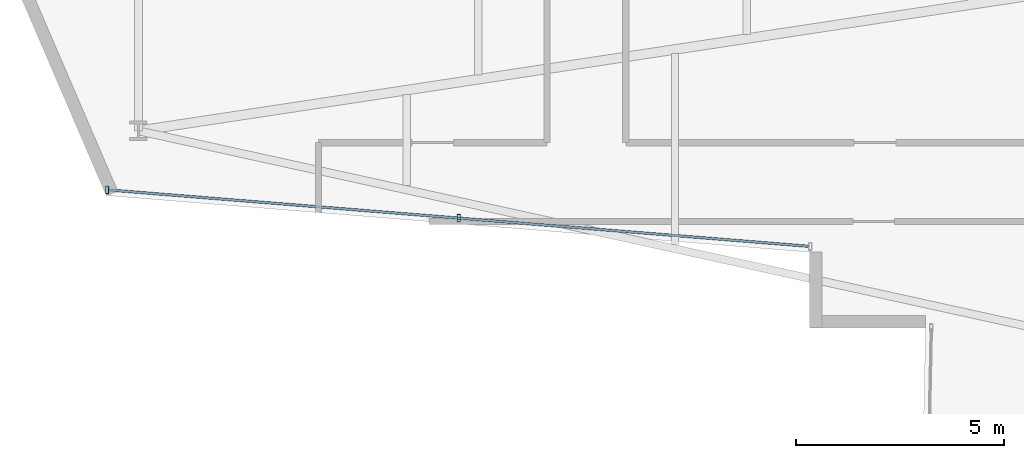
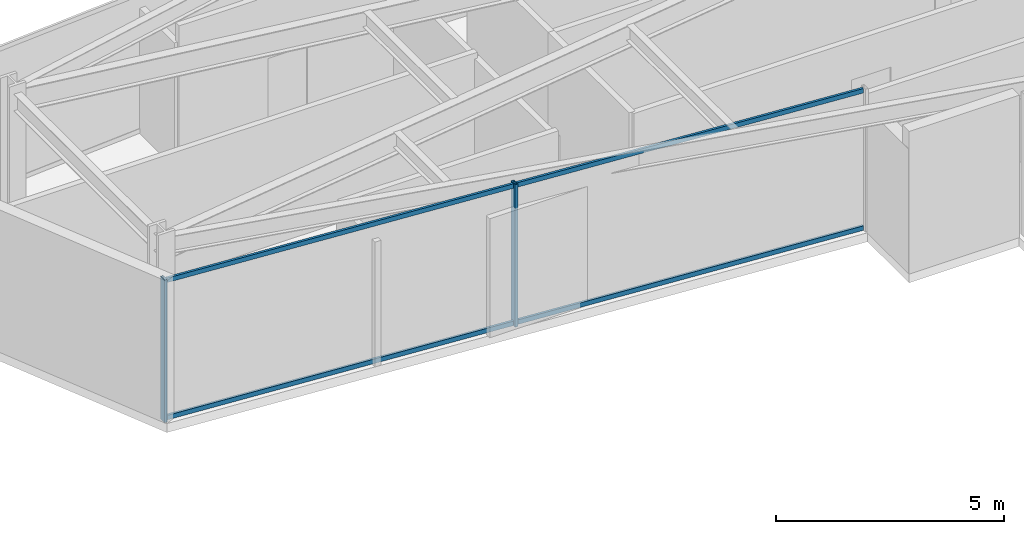
# One storey, part 2 of 23: 4 members, 1 element without a shape of its own.
"""IFC4 building model written with IfcOpenShell, lengths in metres."""

from ifc_helpers import new_model, si_unit, direction, frame, origin, origin_2d, place, context, subcontext, project, spatial, hollow_rectangle, extrude, material, layer, layer_set, material_profile, profile_set, type_object, element, aggregate, save


model = new_model("IFC4")

# Units and contexts
model_context = context("Model", 3, precision=1e-05, world=origin(), true_north=direction((0.0, 1.0)))
body_context = subcontext(model_context, "Body", "Model", "MODEL_VIEW")
ifc_project = project(units=[si_unit("LENGTHUNIT", "METRE"), si_unit("AREAUNIT", "SQUARE_METRE"), si_unit("VOLUMEUNIT", "CUBIC_METRE"), si_unit("PLANEANGLEUNIT", "RADIAN"), si_unit("MASSUNIT", "GRAM", prefix="KILO")], contexts=[model_context])

# Site, building, storey
site_placement = place(None, origin())
site = spatial("IfcSite", under=ifc_project, at=site_placement, CompositionType="ELEMENT")
building_placement = place(site_placement, origin())
building = spatial("IfcBuilding", under=site, at=building_placement, Name="Veymaron Broadcast Tower", CompositionType="ELEMENT")
storey_placement = place(building_placement, frame((0.0, 0.0, 94.5)))
storey = spatial("IfcBuildingStorey", under=building, at=storey_placement, Name="L21", CompositionType="ELEMENT", Elevation=94.5)

# Curtain wall, members
ifc_material_1 = material(Name="Anodised aluminium AA 6063-T6 and laminated low-E dark glass", Category="aluminium")
ifc_layer = layer(ifc_material_1, 0.179931640625)
ifc_layer_set = layer_set([ifc_layer], Name="Anodised aluminium AA 6063-T6 and laminated low-E dark glass")
curtain_wall_type = type_object("IfcCurtainWallType", Name="CW-SYS-02", PredefinedType="NOTDEFINED", material=ifc_layer_set)
curtain_wall_placement = place(storey_placement, origin())
curtain_wall = element("IfcCurtainWall", 1, at=curtain_wall_placement, inside=storey, type_object=curtain_wall_type, Name="L21 dark-glass curtain wall CW-L21-E14-1", PredefinedType="NOTDEFINED")
ifc_material_2 = material(Name="Anodised aluminium AA 6063-T6", Category="aluminium")
ifc_material_profile_1 = material_profile(ifc_material_2, hollow_rectangle(XDim=0.074951171875, YDim=0.179931640625, WallThickness=0.0048828125, at=origin_2d()), Name="AL180X75X5")
ifc_profile_set_1 = profile_set([ifc_material_profile_1], Name="Anodised aluminium AA 6063-T6")
member_type_1 = type_object("IfcMemberType", Name="CW-MUL-02", PredefinedType="MULLION", material=ifc_profile_set_1)
member_1_placement = place(storey_placement, frame((8.9111328125, 19.314208984375, 0.0), z_axis=(0.0, 0.0, 1.0), x_axis=(1.0, 0.0, 0.0)))
member_1 = element("IfcMember", 2, at=member_1_placement, type_object=member_type_1, Name="CW-L21-E14-1 mullion 0", PredefinedType="MULLION", context=body_context, shape_type="SweptSolid", body=[
    extrude(hollow_rectangle(XDim=0.074951171875, YDim=0.179931640625, WallThickness=0.0048828125, at=origin_2d()), origin(), (0.0, 0.0, 1.0), 3.81005859375),
])
member_2_placement = place(storey_placement, frame((17.377197265625, 18.6328125, 0.0), z_axis=(0.0, 0.0, 1.0), x_axis=(1.0, 0.0, 0.0)))
member_2 = element("IfcMember", 3, at=member_2_placement, type_object=member_type_1, Name="CW-L21-E14-1 mullion 1", PredefinedType="MULLION", context=body_context, shape_type="SweptSolid", body=[
    extrude(hollow_rectangle(XDim=0.074951171875, YDim=0.179931640625, WallThickness=0.0048828125, at=origin_2d()), origin(), (0.0, 0.0, 1.0), 3.81005859375),
])
ifc_material_profile_2 = material_profile(ifc_material_2, hollow_rectangle(XDim=0.06005859375, YDim=0.1201171875, WallThickness=0.00390625, at=origin_2d()), Name="AL120X60X4")
ifc_profile_set_2 = profile_set([ifc_material_profile_2], Name="Anodised aluminium AA 6063-T6")
member_type_2 = type_object("IfcMemberType", Name="CW-TRN-02", PredefinedType="USERDEFINED", material=ifc_profile_set_2)
member_3_placement = place(storey_placement, frame((8.9609375, 19.310302734375, 0.070068359375), z_axis=(0.996775714969, -0.080238233082, 0.0), x_axis=(0.080238233082, 0.996775714969, 0.0)))
member_3 = element("IfcMember", 4, at=member_3_placement, type_object=member_type_2, Name="CW-L21-E14-1 transom B", ObjectType="TRANSOM", PredefinedType="USERDEFINED", context=body_context, shape_type="SweptSolid", body=[
    extrude(hollow_rectangle(XDim=0.06005859375, YDim=0.1201171875, WallThickness=0.00390625, at=origin_2d()), origin(), (0.0, 0.0, 1.0), 16.886962890625),
])
member_4_placement = place(storey_placement, frame((8.9609375, 19.310302734375, 3.739990234375), z_axis=(0.996775714969, -0.080238233082, 0.0), x_axis=(0.080238233082, 0.996775714969, 0.0)))
member_4 = element("IfcMember", 5, at=member_4_placement, type_object=member_type_2, Name="CW-L21-E14-1 transom T", ObjectType="TRANSOM", PredefinedType="USERDEFINED", context=body_context, shape_type="SweptSolid", body=[
    extrude(hollow_rectangle(XDim=0.06005859375, YDim=0.1201171875, WallThickness=0.00390625, at=origin_2d()), origin(), (0.0, 0.0, 1.0), 16.886962890625),
])
aggregate(curtain_wall, [member_1, member_2, member_3, member_4])

save(model, "model.ifc")
